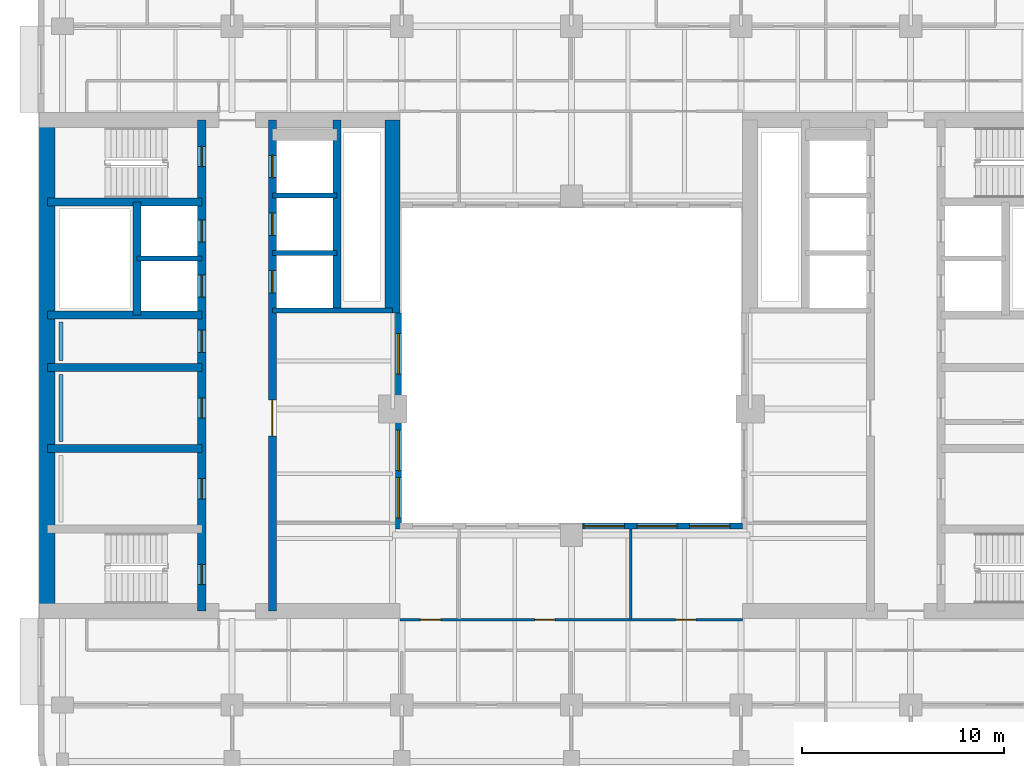
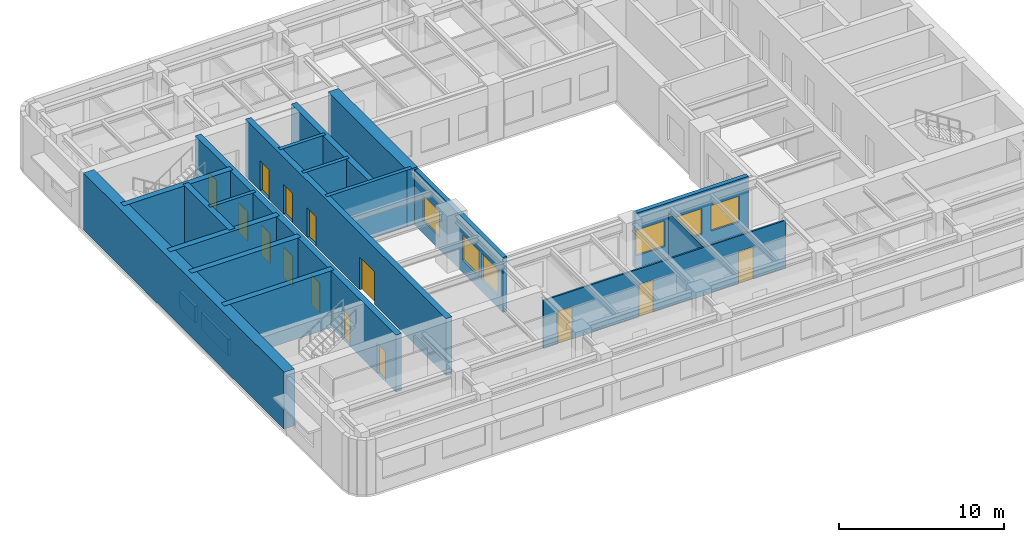
# One storey, part 4 of 11: 20 walls, 14 doors, 6 windows, 20 openings.
"""IFC4 building model written with IfcOpenShell, lengths in metres."""

from ifc_helpers import new_model, si_unit, direction, frame, frame_2d, origin, place, context, subcontext, project, spatial, rectangle, extrude, material, layer, layer_set, type_object, element, fill, save


model = new_model("IFC4")

# Units and contexts
model_context = context("Model", 3, precision=1e-05, world=origin(), true_north=direction((0.0, 1.0)))
body_context = subcontext(model_context, "Body", "Model", "MODEL_VIEW")
ifc_project = project(units=[si_unit("LENGTHUNIT", "METRE"), si_unit("AREAUNIT", "SQUARE_METRE"), si_unit("VOLUMEUNIT", "CUBIC_METRE"), si_unit("PLANEANGLEUNIT", "RADIAN"), si_unit("MASSUNIT", "GRAM", prefix="KILO")], contexts=[model_context])

# Site, building, storey
site_placement = place(None, origin())
site = spatial("IfcSite", under=ifc_project, at=site_placement, CompositionType="ELEMENT")
building_placement = place(site_placement, origin())
building = spatial("IfcBuilding", under=site, at=building_placement, Name="Claustro Exchange Tower", CompositionType="ELEMENT")
storey_placement = place(building_placement, frame((0.0, 0.0, 219.60009765625)))
storey = spatial("IfcBuildingStorey", under=building, at=storey_placement, Name="L50", CompositionType="ELEMENT", Elevation=219.60009765625)

# Wall
ifc_material_1 = material(Name="Laminated glass in aluminium frame", Category="aluminium")
ifc_layer_1 = layer(ifc_material_1, 0.1201171875)
ifc_layer_set_1 = layer_set([ifc_layer_1], Name="Laminated glass in aluminium frame")
wall_type_1 = type_object("IfcWallType", Name="P2 120 glazed partition", PredefinedType="PARTITIONING", material=ifc_layer_set_1)
wall_1_placement = place(storey_placement, frame((28.1298828125, 12.657958984375, 0.0), z_axis=(0.0, 0.0, 1.0), x_axis=(0.0, 1.0, 0.0)))
element("IfcWall", 1, at=wall_1_placement, inside=storey, type_object=wall_type_1, Name="Partition P2 L50", PredefinedType="PARTITIONING", context=body_context, shape_type="SweptSolid", body=[
    extrude(rectangle(XDim=4.444091796875, YDim=0.1201171875, at=frame_2d((2.22216796875, 0.0))), origin(), (0.0, 0.0, 1.0), 3.35986328125),
])

# Wall, openings, doors
wall_2_placement = place(storey_placement, frame((16.72509765625, 12.614990234375, 0.0), z_axis=(0.0, 0.0, 1.0), x_axis=(1.0, 0.0, 0.0)))
wall_2 = element("IfcWall", 2, at=wall_2_placement, inside=storey, type_object=wall_type_1, Name="Partition P2 L50", PredefinedType="PARTITIONING", context=body_context, shape_type="SweptSolid", body=[
    extrude(rectangle(XDim=16.949951171875, YDim=0.1201171875, at=frame_2d((8.47509765625, 0.0))), origin(), (0.0, 0.0, 1.0), 3.5498046875),
])
opening_1_placement = place(wall_2_placement, frame((1.0, 0.0, 0.0)))
opening_1 = element("IfcOpeningElement", 3, at=opening_1_placement, cuts=wall_2, Name="Opening D7", PredefinedType="OPENING", context=body_context, shape_type="SweptSolid", body=[
    extrude(rectangle(XDim=1.0, YDim=2.39990234375, at=frame_2d((0.5, 1.199951171875))), frame((0.0, 0.070068359375, 0.0), z_axis=(0.0, -1.0, 0.0), x_axis=(1.0, 0.0, 0.0)), (0.0, 0.0, 1.0), 0.14013671875),
])
opening_2_placement = place(wall_2_placement, frame((6.6650390625, 0.0, 0.0)))
opening_2 = element("IfcOpeningElement", 4, at=opening_2_placement, cuts=wall_2, Name="Opening D7", PredefinedType="OPENING", context=body_context, shape_type="SweptSolid", body=[
    extrude(rectangle(XDim=1.0, YDim=2.39990234375, at=frame_2d((0.5, 1.199951171875))), frame((0.0, 0.070068359375, 0.0), z_axis=(0.0, -1.0, 0.0), x_axis=(1.0, 0.0, 0.0)), (0.0, 0.0, 1.0), 0.14013671875),
])
opening_3_placement = place(wall_2_placement, frame((13.639892578125, 0.0, 0.0)))
opening_3 = element("IfcOpeningElement", 5, at=opening_3_placement, cuts=wall_2, Name="Opening D7", PredefinedType="OPENING", context=body_context, shape_type="SweptSolid", body=[
    extrude(rectangle(XDim=1.0, YDim=2.39990234375, at=frame_2d((0.5, 1.199951171875))), frame((0.0, 0.070068359375, 0.0), z_axis=(0.0, -1.0, 0.0), x_axis=(1.0, 0.0, 0.0)), (0.0, 0.0, 1.0), 0.14013671875),
])
ifc_material_2 = material(Name="Glass door in aluminium frame", Category="aluminium")
door_type_1 = type_object("IfcDoorType", Name="D7 1000 x 2400 glazed door", OperationType="SINGLE_SWING_LEFT", PredefinedType="DOOR", material=ifc_material_2)
door_1_placement = place(opening_1_placement, origin())
door_1 = element("IfcDoor", 6, at=door_1_placement, inside=storey, type_object=door_type_1, Name="Door D7 L50", OperationType="SINGLE_SWING_RIGHT", OverallHeight=2.39990234375, OverallWidth=1.0, PredefinedType="DOOR", context=body_context, shape_type="SweptSolid", body=[
    extrude(rectangle(XDim=1.0, YDim=2.39990234375, at=frame_2d((0.5, 1.199951171875))), frame((0.0, 0.02490234375, 0.0), z_axis=(0.0, -1.0, 0.0), x_axis=(1.0, 0.0, 0.0)), (0.0, 0.0, 1.0), 0.050048828125),
])
fill(opening_1, door_1)
door_2_placement = place(opening_2_placement, origin())
door_2 = element("IfcDoor", 7, at=door_2_placement, inside=storey, type_object=door_type_1, Name="Door D7 L50", OperationType="SINGLE_SWING_RIGHT", OverallHeight=2.39990234375, OverallWidth=1.0, PredefinedType="DOOR", context=body_context, shape_type="SweptSolid", body=[
    extrude(rectangle(XDim=1.0, YDim=2.39990234375, at=frame_2d((0.5, 1.199951171875))), frame((0.0, 0.02490234375, 0.0), z_axis=(0.0, -1.0, 0.0), x_axis=(1.0, 0.0, 0.0)), (0.0, 0.0, 1.0), 0.050048828125),
])
fill(opening_2, door_2)
door_3_placement = place(opening_3_placement, origin())
door_3 = element("IfcDoor", 8, at=door_3_placement, inside=storey, type_object=door_type_1, Name="Door D7 L50", OperationType="SINGLE_SWING_RIGHT", OverallHeight=2.39990234375, OverallWidth=1.0, PredefinedType="DOOR", context=body_context, shape_type="SweptSolid", body=[
    extrude(rectangle(XDim=1.0, YDim=2.39990234375, at=frame_2d((0.5, 1.199951171875))), frame((0.0, 0.02490234375, 0.0), z_axis=(0.0, -1.0, 0.0), x_axis=(1.0, 0.0, 0.0)), (0.0, 0.0, 1.0), 0.050048828125),
])
fill(opening_3, door_3)

# Wall, openings, windows
ifc_material_3 = material(Name="Concrete HA-40 (C40/50), precast, white cement, acid-etched", Category="concrete")
ifc_layer_2 = layer(ifc_material_3, 0.300048828125)
ifc_layer_set_2 = layer_set([ifc_layer_2], Name="Concrete HA-40 (C40/50), precast, white cement, acid-etched")
wall_type_2 = type_object("IfcWallType", Name="PC1 300 precast concrete pier panel", PredefinedType="SOLIDWALL", material=ifc_layer_set_2)
wall_3_placement = place(storey_placement, frame((16.64990234375, 17.10009765625, 0.0), z_axis=(0.0, 0.0, 1.0), x_axis=(0.0, 1.0, 0.0)))
wall_3 = element("IfcWall", 9, at=wall_3_placement, inside=storey, type_object=wall_type_2, Name="Precast pier panel PC1 L50", PredefinedType="SOLIDWALL", context=body_context, shape_type="SweptSolid", body=[
    extrude(rectangle(XDim=10.699951171875, YDim=0.300048828125, at=frame_2d((5.35009765625, 0.0))), origin(), (0.0, 0.0, 1.0), 4.0498046875),
])
opening_4_placement = place(wall_3_placement, frame((0.550048828125, 0.0, 0.89990234375)))
opening_4 = element("IfcOpeningElement", 10, at=opening_4_placement, cuts=wall_3, Name="Opening W4", PredefinedType="OPENING", context=body_context, shape_type="SweptSolid", body=[
    extrude(rectangle(XDim=2.0, YDim=1.89990234375, at=frame_2d((1.0, 0.949951171875))), frame((0.0, 0.159912109375, 0.0), z_axis=(0.0, -1.0, 0.0), x_axis=(1.0, 0.0, 0.0)), (0.0, 0.0, 1.0), 0.320068359375),
])
opening_5_placement = place(wall_3_placement, frame((2.89990234375, 0.0, 0.89990234375)))
opening_5 = element("IfcOpeningElement", 11, at=opening_5_placement, cuts=wall_3, Name="Opening W4", PredefinedType="OPENING", context=body_context, shape_type="SweptSolid", body=[
    extrude(rectangle(XDim=2.0, YDim=1.89990234375, at=frame_2d((1.0, 0.949951171875))), frame((0.0, 0.159912109375, 0.0), z_axis=(0.0, -1.0, 0.0), x_axis=(1.0, 0.0, 0.0)), (0.0, 0.0, 1.0), 0.320068359375),
])
opening_6_placement = place(wall_3_placement, frame((7.675048828125, 0.0, 0.89990234375)))
opening_6 = element("IfcOpeningElement", 12, at=opening_6_placement, cuts=wall_3, Name="Opening W4", PredefinedType="OPENING", context=body_context, shape_type="SweptSolid", body=[
    extrude(rectangle(XDim=2.0, YDim=1.89990234375, at=frame_2d((1.0, 0.949951171875))), frame((0.0, 0.159912109375, 0.0), z_axis=(0.0, -1.0, 0.0), x_axis=(1.0, 0.0, 0.0)), (0.0, 0.0, 1.0), 0.320068359375),
])
ifc_material_4 = material(Name="Aluminium frame, clear double glazing", Category="aluminium")
window_type = type_object("IfcWindowType", Name="W4 2000 x 1900 light well window", PartitioningType="SINGLE_PANEL", PredefinedType="WINDOW", material=ifc_material_4)
window_1_placement = place(opening_4_placement, origin())
window_1 = element("IfcWindow", 13, at=window_1_placement, inside=storey, type_object=window_type, Name="Window W4 L50", OverallHeight=1.89990234375, OverallWidth=2.0, PartitioningType="SINGLE_PANEL", PredefinedType="WINDOW", context=body_context, shape_type="SweptSolid", body=[
    extrude(rectangle(XDim=2.0, YDim=1.89990234375, at=frame_2d((1.0, 0.949951171875))), frame((0.0, 0.030029296875, 0.0), z_axis=(0.0, -1.0, 0.0), x_axis=(1.0, 0.0, 0.0)), (0.0, 0.0, 1.0), 0.06005859375),
])
fill(opening_4, window_1)
window_2_placement = place(opening_5_placement, origin())
window_2 = element("IfcWindow", 14, at=window_2_placement, inside=storey, type_object=window_type, Name="Window W4 L50", OverallHeight=1.89990234375, OverallWidth=2.0, PartitioningType="SINGLE_PANEL", PredefinedType="WINDOW", context=body_context, shape_type="SweptSolid", body=[
    extrude(rectangle(XDim=2.0, YDim=1.89990234375, at=frame_2d((1.0, 0.949951171875))), frame((0.0, 0.030029296875, 0.0), z_axis=(0.0, -1.0, 0.0), x_axis=(1.0, 0.0, 0.0)), (0.0, 0.0, 1.0), 0.06005859375),
])
fill(opening_5, window_2)
window_3_placement = place(opening_6_placement, origin())
window_3 = element("IfcWindow", 15, at=window_3_placement, inside=storey, type_object=window_type, Name="Window W4 L50", OverallHeight=1.89990234375, OverallWidth=2.0, PartitioningType="SINGLE_PANEL", PredefinedType="WINDOW", context=body_context, shape_type="SweptSolid", body=[
    extrude(rectangle(XDim=2.0, YDim=1.89990234375, at=frame_2d((1.0, 0.949951171875))), frame((0.0, 0.030029296875, 0.0), z_axis=(0.0, -1.0, 0.0), x_axis=(1.0, 0.0, 0.0)), (0.0, 0.0, 1.0), 0.06005859375),
])
fill(opening_6, window_3)

wall_4_placement = place(storey_placement, frame((25.75, 17.25, 0.0), z_axis=(0.0, 0.0, 1.0), x_axis=(1.0, 0.0, 0.0)))
wall_4 = element("IfcWall", 16, at=wall_4_placement, inside=storey, type_object=wall_type_2, Name="Precast pier panel PC1 L50", PredefinedType="SOLIDWALL", context=body_context, shape_type="SweptSolid", body=[
    extrude(rectangle(XDim=7.925048828125, YDim=0.300048828125, at=frame_2d((3.96240234375, 0.0))), origin(), (0.0, 0.0, 1.0), 4.0498046875),
])
opening_7_placement = place(wall_4_placement, frame((0.068603515625, 0.0, 0.89990234375)))
opening_7 = element("IfcOpeningElement", 17, at=opening_7_placement, cuts=wall_4, Name="Opening W4", PredefinedType="OPENING", context=body_context, shape_type="SweptSolid", body=[
    extrude(rectangle(XDim=2.0, YDim=1.89990234375, at=frame_2d((1.0, 0.949951171875))), frame((0.0, 0.159912109375, 0.0), z_axis=(0.0, -1.0, 0.0), x_axis=(1.0, 0.0, 0.0)), (0.0, 0.0, 1.0), 0.320068359375),
])
opening_8_placement = place(wall_4_placement, frame((2.6875, 0.0, 0.89990234375)))
opening_8 = element("IfcOpeningElement", 18, at=opening_8_placement, cuts=wall_4, Name="Opening W4", PredefinedType="OPENING", context=body_context, shape_type="SweptSolid", body=[
    extrude(rectangle(XDim=2.0, YDim=1.89990234375, at=frame_2d((1.0, 0.949951171875))), frame((0.0, 0.159912109375, 0.0), z_axis=(0.0, -1.0, 0.0), x_axis=(1.0, 0.0, 0.0)), (0.0, 0.0, 1.0), 0.320068359375),
])
opening_9_placement = place(wall_4_placement, frame((5.30615234375, 0.0, 0.89990234375)))
opening_9 = element("IfcOpeningElement", 19, at=opening_9_placement, cuts=wall_4, Name="Opening W4", PredefinedType="OPENING", context=body_context, shape_type="SweptSolid", body=[
    extrude(rectangle(XDim=2.0, YDim=1.89990234375, at=frame_2d((1.0, 0.949951171875))), frame((0.0, 0.159912109375, 0.0), z_axis=(0.0, -1.0, 0.0), x_axis=(1.0, 0.0, 0.0)), (0.0, 0.0, 1.0), 0.320068359375),
])
window_4_placement = place(opening_7_placement, origin())
window_4 = element("IfcWindow", 20, at=window_4_placement, inside=storey, type_object=window_type, Name="Window W4 L50", OverallHeight=1.89990234375, OverallWidth=2.0, PartitioningType="SINGLE_PANEL", PredefinedType="WINDOW", context=body_context, shape_type="SweptSolid", body=[
    extrude(rectangle(XDim=2.0, YDim=1.89990234375, at=frame_2d((1.0, 0.949951171875))), frame((0.0, 0.030029296875, 0.0), z_axis=(0.0, -1.0, 0.0), x_axis=(1.0, 0.0, 0.0)), (0.0, 0.0, 1.0), 0.06005859375),
])
fill(opening_7, window_4)
window_5_placement = place(opening_8_placement, origin())
window_5 = element("IfcWindow", 21, at=window_5_placement, inside=storey, type_object=window_type, Name="Window W4 L50", OverallHeight=1.89990234375, OverallWidth=2.0, PartitioningType="SINGLE_PANEL", PredefinedType="WINDOW", context=body_context, shape_type="SweptSolid", body=[
    extrude(rectangle(XDim=2.0, YDim=1.89990234375, at=frame_2d((1.0, 0.949951171875))), frame((0.0, 0.030029296875, 0.0), z_axis=(0.0, -1.0, 0.0), x_axis=(1.0, 0.0, 0.0)), (0.0, 0.0, 1.0), 0.06005859375),
])
fill(opening_8, window_5)
window_6_placement = place(opening_9_placement, origin())
window_6 = element("IfcWindow", 22, at=window_6_placement, inside=storey, type_object=window_type, Name="Window W4 L50", OverallHeight=1.89990234375, OverallWidth=2.0, PartitioningType="SINGLE_PANEL", PredefinedType="WINDOW", context=body_context, shape_type="SweptSolid", body=[
    extrude(rectangle(XDim=2.0, YDim=1.89990234375, at=frame_2d((1.0, 0.949951171875))), frame((0.0, 0.030029296875, 0.0), z_axis=(0.0, -1.0, 0.0), x_axis=(1.0, 0.0, 0.0)), (0.0, 0.0, 1.0), 0.06005859375),
])
fill(opening_9, window_6)

# Walls
ifc_material_5 = material(Name="Gypsum board on steel studs, tiled", Category="steel")
ifc_layer_3 = layer(ifc_material_5, 0.199951171875)
ifc_layer_set_3 = layer_set([ifc_layer_3], Name="Gypsum board on steel studs, tiled")
wall_type_3 = type_object("IfcWallType", Name="PW1 200 WC duct wall", PredefinedType="PLUMBINGWALL", material=ifc_layer_set_3)
wall_5_placement = place(storey_placement, frame((-0.074951171875, 21.449951171875, 0.0), z_axis=(0.0, 0.0, 1.0), x_axis=(0.0, 1.0, 0.0)))
element("IfcWall", 23, at=wall_5_placement, inside=storey, type_object=wall_type_3, Name="WC duct wall PW1 L50", PredefinedType="PLUMBINGWALL", context=body_context, shape_type="SweptSolid", body=[
    extrude(rectangle(XDim=3.300048828125, YDim=0.199951171875, at=frame_2d((1.64990234375, 0.0))), origin(), (0.0, 0.0, 1.0), 1.199951171875),
])
wall_6_placement = place(storey_placement, frame((-0.074951171875, 25.449951171875, 0.0), z_axis=(0.0, 0.0, 1.0), x_axis=(0.0, 1.0, 0.0)))
element("IfcWall", 24, at=wall_6_placement, inside=storey, type_object=wall_type_3, Name="WC duct wall PW1 L50", PredefinedType="PLUMBINGWALL", context=body_context, shape_type="SweptSolid", body=[
    extrude(rectangle(XDim=1.900146484375, YDim=0.199951171875, at=frame_2d((0.9501953125, 0.0))), origin(), (0.0, 0.0, 1.0), 1.199951171875),
])
ifc_material_6 = material(Name="Concrete HA-70 (C70/85)", Category="concrete")
ifc_layer_4 = layer(ifc_material_6, 0.75)
ifc_layer_set_4 = layer_set([ifc_layer_4], Name="Concrete HA-70 (C70/85)")
wall_type_4 = type_object("IfcWallType", Name="SW2X 750 exposed core shear wall, board-marked face", PredefinedType="SHEAR", material=ifc_layer_set_4)
wall_7_placement = place(storey_placement, frame((-0.75, 13.050048828125, 0.0), z_axis=(0.0, 0.0, 1.0), x_axis=(0.0, 1.0, 0.0)))
element("IfcWall", 25, at=wall_7_placement, inside=storey, type_object=wall_type_4, Name="Core wall SW2X W core W face L50", PredefinedType="SHEAR", context=body_context, shape_type="SweptSolid", body=[
    extrude(rectangle(XDim=24.300048828125, YDim=0.75, at=frame_2d((12.14990234375, 0.0))), origin(), (0.0, 0.0, 1.0), 4.199951171875),
])
wall_8_placement = place(storey_placement, frame((16.35009765625, 27.800048828125, 0.0), z_axis=(0.0, 0.0, 1.0), x_axis=(0.0, 1.0, 0.0)))
element("IfcWall", 26, at=wall_8_placement, inside=storey, type_object=wall_type_4, Name="Core wall SW2X W core E face L50", PredefinedType="SHEAR", context=body_context, shape_type="SweptSolid", body=[
    extrude(rectangle(XDim=9.550048828125, YDim=0.75, at=frame_2d((4.77490234375, 0.0))), origin(), (0.0, 0.0, 1.0), 4.199951171875),
])

# Wall, openings, doors
ifc_material_7 = material(Name="Concrete HA-50 (C50/60)", Category="concrete")
ifc_layer_5 = layer(ifc_material_7, 0.39990234375)
ifc_layer_set_5 = layer_set([ifc_layer_5], Name="Concrete HA-50 (C50/60)")
wall_type_5 = type_object("IfcWallType", Name="SW4 400 internal core wall", PredefinedType="SHEAR", material=ifc_layer_set_5)
wall_9_placement = place(storey_placement, frame((6.89990234375, 13.050048828125, 0.0), z_axis=(0.0, 0.0, 1.0), x_axis=(0.0, 1.0, 0.0)))
wall_9 = element("IfcWall", 27, at=wall_9_placement, inside=storey, type_object=wall_type_5, Name="Internal core wall SW4 W core L50", PredefinedType="SHEAR", context=body_context, shape_type="SweptSolid", body=[
    extrude(rectangle(XDim=24.300048828125, YDim=0.39990234375, at=frame_2d((12.14990234375, 0.0))), origin(), (0.0, 0.0, 1.0), 4.199951171875),
])
opening_10_placement = place(wall_9_placement, frame((1.300048828125, 0.0, 0.0)))
opening_10 = element("IfcOpeningElement", 28, at=opening_10_placement, cuts=wall_9, Name="Opening D4", PredefinedType="OPENING", context=body_context, shape_type="SweptSolid", body=[
    extrude(rectangle(XDim=1.0, YDim=2.199951171875, at=frame_2d((0.5, 1.10009765625))), frame((0.0, 0.2099609375, 0.0), z_axis=(0.0, -1.0, 0.0), x_axis=(1.0, 0.0, 0.0)), (0.0, 0.0, 1.0), 0.419921875),
])
opening_11_placement = place(wall_9_placement, frame((22.0, 0.0, 0.0)))
opening_11 = element("IfcOpeningElement", 29, at=opening_11_placement, cuts=wall_9, Name="Opening D4", PredefinedType="OPENING", context=body_context, shape_type="SweptSolid", body=[
    extrude(rectangle(XDim=1.0, YDim=2.199951171875, at=frame_2d((0.5, 1.10009765625))), frame((0.0, 0.2099609375, 0.0), z_axis=(0.0, -1.0, 0.0), x_axis=(1.0, 0.0, 0.0)), (0.0, 0.0, 1.0), 0.419921875),
])
opening_12_placement = place(wall_9_placement, frame((5.550048828125, 0.0, 0.0)))
opening_12 = element("IfcOpeningElement", 30, at=opening_12_placement, cuts=wall_9, Name="Opening D1", PredefinedType="OPENING", context=body_context, shape_type="SweptSolid", body=[
    extrude(rectangle(XDim=1.0, YDim=2.199951171875, at=frame_2d((0.5, 1.10009765625))), frame((0.0, 0.2099609375, 0.0), z_axis=(0.0, -1.0, 0.0), x_axis=(1.0, 0.0, 0.0)), (0.0, 0.0, 1.0), 0.419921875),
])
opening_13_placement = place(wall_9_placement, frame((9.550048828125, 0.0, 0.0)))
opening_13 = element("IfcOpeningElement", 31, at=opening_13_placement, cuts=wall_9, Name="Opening D1", PredefinedType="OPENING", context=body_context, shape_type="SweptSolid", body=[
    extrude(rectangle(XDim=1.0, YDim=2.199951171875, at=frame_2d((0.5, 1.10009765625))), frame((0.0, 0.2099609375, 0.0), z_axis=(0.0, -1.0, 0.0), x_axis=(1.0, 0.0, 0.0)), (0.0, 0.0, 1.0), 0.419921875),
])
opening_14_placement = place(wall_9_placement, frame((12.800048828125, 0.0, 0.0)))
opening_14 = element("IfcOpeningElement", 32, at=opening_14_placement, cuts=wall_9, Name="Opening D10", PredefinedType="OPENING", context=body_context, shape_type="SweptSolid", body=[
    extrude(rectangle(XDim=1.10009765625, YDim=2.199951171875, at=frame_2d((0.550048828125, 1.10009765625))), frame((0.0, 0.2099609375, 0.0), z_axis=(0.0, -1.0, 0.0), x_axis=(1.0, 0.0, 0.0)), (0.0, 0.0, 1.0), 0.419921875),
])
opening_15_placement = place(wall_9_placement, frame((15.53759765625, 0.0, 0.0)))
opening_15 = element("IfcOpeningElement", 33, at=opening_15_placement, cuts=wall_9, Name="Opening LD", PredefinedType="OPENING", context=body_context, shape_type="SweptSolid", body=[
    extrude(rectangle(XDim=1.10009765625, YDim=2.199951171875, at=frame_2d((0.550048828125, 1.10009765625))), frame((0.0, 0.2099609375, 0.0), z_axis=(0.0, -1.0, 0.0), x_axis=(1.0, 0.0, 0.0)), (0.0, 0.0, 1.0), 0.419921875),
])
opening_16_placement = place(wall_9_placement, frame((18.262451171875, 0.0, 0.0)))
opening_16 = element("IfcOpeningElement", 34, at=opening_16_placement, cuts=wall_9, Name="Opening LD", PredefinedType="OPENING", context=body_context, shape_type="SweptSolid", body=[
    extrude(rectangle(XDim=1.10009765625, YDim=2.199951171875, at=frame_2d((0.550048828125, 1.10009765625))), frame((0.0, 0.2099609375, 0.0), z_axis=(0.0, -1.0, 0.0), x_axis=(1.0, 0.0, 0.0)), (0.0, 0.0, 1.0), 0.419921875),
])
ifc_material_8 = material(Name="Timber door, oak veneer", Category="wood")
door_type_2 = type_object("IfcDoorType", Name="D1 1000 x 2200 single door", OperationType="SINGLE_SWING_LEFT", PredefinedType="DOOR", material=ifc_material_8)
door_4_placement = place(opening_12_placement, origin())
door_4 = element("IfcDoor", 35, at=door_4_placement, inside=storey, type_object=door_type_2, Name="Door D1 L50", OperationType="SINGLE_SWING_RIGHT", OverallHeight=2.199951171875, OverallWidth=1.0, PredefinedType="DOOR", context=body_context, shape_type="SweptSolid", body=[
    extrude(rectangle(XDim=1.0, YDim=2.199951171875, at=frame_2d((0.5, 1.10009765625))), frame((0.0, 0.02490234375, 0.0), z_axis=(0.0, -1.0, 0.0), x_axis=(1.0, 0.0, 0.0)), (0.0, 0.0, 1.0), 0.050048828125),
])
fill(opening_12, door_4)
door_5_placement = place(opening_13_placement, origin())
door_5 = element("IfcDoor", 36, at=door_5_placement, inside=storey, type_object=door_type_2, Name="Door D1 L50", OperationType="SINGLE_SWING_RIGHT", OverallHeight=2.199951171875, OverallWidth=1.0, PredefinedType="DOOR", context=body_context, shape_type="SweptSolid", body=[
    extrude(rectangle(XDim=1.0, YDim=2.199951171875, at=frame_2d((0.5, 1.10009765625))), frame((0.0, 0.02490234375, 0.0), z_axis=(0.0, -1.0, 0.0), x_axis=(1.0, 0.0, 0.0)), (0.0, 0.0, 1.0), 0.050048828125),
])
fill(opening_13, door_5)
ifc_material_9 = material(Name="Timber door, oak veneer", Category="wood")
door_type_3 = type_object("IfcDoorType", Name="D10 1100 x 2200 accessible WC door", OperationType="SINGLE_SWING_LEFT", PredefinedType="DOOR", material=ifc_material_9)
door_6_placement = place(opening_14_placement, frame((1.10009765625, 0.0, 0.0), z_axis=(0.0, 0.0, 1.0), x_axis=(-1.0, 0.0, 0.0)))
door_6 = element("IfcDoor", 37, at=door_6_placement, inside=storey, type_object=door_type_3, Name="Accessible WC door D10 L50", OperationType="SINGLE_SWING_LEFT", OverallHeight=2.199951171875, OverallWidth=1.10009765625, PredefinedType="DOOR", context=body_context, shape_type="SweptSolid", body=[
    extrude(rectangle(XDim=1.10009765625, YDim=2.199951171875, at=frame_2d((0.550048828125, 1.10009765625))), frame((0.0, 0.02490234375, 0.0), z_axis=(0.0, -1.0, 0.0), x_axis=(1.0, 0.0, 0.0)), (0.0, 0.0, 1.0), 0.050048828125),
])
fill(opening_14, door_6)
ifc_material_10 = material(Name="Steel fire door, painted", Category="steel")
door_type_4 = type_object("IfcDoorType", Name="D4 1000 x 2200 fire-rated stair door", OperationType="SINGLE_SWING_LEFT", PredefinedType="DOOR", material=ifc_material_10)
door_7_placement = place(opening_10_placement, origin())
door_7 = element("IfcDoor", 38, at=door_7_placement, inside=storey, type_object=door_type_4, Name="Stair door D4 L50", OperationType="SINGLE_SWING_LEFT", OverallHeight=2.199951171875, OverallWidth=1.0, PredefinedType="DOOR", context=body_context, shape_type="SweptSolid", body=[
    extrude(rectangle(XDim=1.0, YDim=2.199951171875, at=frame_2d((0.5, 1.10009765625))), frame((0.0, 0.02490234375, 0.0), z_axis=(0.0, -1.0, 0.0), x_axis=(1.0, 0.0, 0.0)), (0.0, 0.0, 1.0), 0.050048828125),
])
fill(opening_10, door_7)
door_8_placement = place(opening_11_placement, origin())
door_8 = element("IfcDoor", 39, at=door_8_placement, inside=storey, type_object=door_type_4, Name="Stair door D4 L50", OperationType="SINGLE_SWING_RIGHT", OverallHeight=2.199951171875, OverallWidth=1.0, PredefinedType="DOOR", context=body_context, shape_type="SweptSolid", body=[
    extrude(rectangle(XDim=1.0, YDim=2.199951171875, at=frame_2d((0.5, 1.10009765625))), frame((0.0, 0.02490234375, 0.0), z_axis=(0.0, -1.0, 0.0), x_axis=(1.0, 0.0, 0.0)), (0.0, 0.0, 1.0), 0.050048828125),
])
fill(opening_11, door_8)
ifc_material_11 = material(Name="Stainless steel sliding door", Category="steel")
door_type_5 = type_object("IfcDoorType", Name="LD 1100 x 2200 lift landing door", OperationType="DOUBLE_DOOR_SLIDING", PredefinedType="DOOR", material=ifc_material_11)
door_9_placement = place(opening_15_placement, origin())
door_9 = element("IfcDoor", 40, at=door_9_placement, inside=storey, type_object=door_type_5, Name="Lift landing door LEW1 LD L50", OperationType="DOUBLE_DOOR_SLIDING", OverallHeight=2.199951171875, OverallWidth=1.10009765625, PredefinedType="DOOR", context=body_context, shape_type="SweptSolid", body=[
    extrude(rectangle(XDim=1.10009765625, YDim=2.199951171875, at=frame_2d((0.550048828125, 1.10009765625))), frame((0.0, 0.02490234375, 0.0), z_axis=(0.0, -1.0, 0.0), x_axis=(1.0, 0.0, 0.0)), (0.0, 0.0, 1.0), 0.050048828125),
])
fill(opening_15, door_9)
door_10_placement = place(opening_16_placement, origin())
door_10 = element("IfcDoor", 41, at=door_10_placement, inside=storey, type_object=door_type_5, Name="Lift landing door LEW2 LD L50", OperationType="DOUBLE_DOOR_SLIDING", OverallHeight=2.199951171875, OverallWidth=1.10009765625, PredefinedType="DOOR", context=body_context, shape_type="SweptSolid", body=[
    extrude(rectangle(XDim=1.10009765625, YDim=2.199951171875, at=frame_2d((0.550048828125, 1.10009765625))), frame((0.0, 0.02490234375, 0.0), z_axis=(0.0, -1.0, 0.0), x_axis=(1.0, 0.0, 0.0)), (0.0, 0.0, 1.0), 0.050048828125),
])
fill(opening_16, door_10)

wall_10_placement = place(storey_placement, frame((10.39990234375, 13.050048828125, 0.0), z_axis=(0.0, 0.0, 1.0), x_axis=(0.0, 1.0, 0.0)))
wall_10 = element("IfcWall", 42, at=wall_10_placement, inside=storey, type_object=wall_type_5, Name="Internal core wall SW4 W core L50", PredefinedType="SHEAR", context=body_context, shape_type="SweptSolid", body=[
    extrude(rectangle(XDim=24.300048828125, YDim=0.39990234375, at=frame_2d((12.14990234375, 0.0))), origin(), (0.0, 0.0, 1.0), 4.199951171875),
])
opening_17_placement = place(wall_10_placement, frame((15.75, 0.0, 0.0)))
opening_17 = element("IfcOpeningElement", 43, at=opening_17_placement, cuts=wall_10, Name="Opening LD", PredefinedType="OPENING", context=body_context, shape_type="SweptSolid", body=[
    extrude(rectangle(XDim=1.10009765625, YDim=2.199951171875, at=frame_2d((0.550048828125, 1.10009765625))), frame((0.0, 0.2099609375, 0.0), z_axis=(0.0, -1.0, 0.0), x_axis=(1.0, 0.0, 0.0)), (0.0, 0.0, 1.0), 0.419921875),
])
opening_18_placement = place(wall_10_placement, frame((18.60009765625, 0.0, 0.0)))
opening_18 = element("IfcOpeningElement", 44, at=opening_18_placement, cuts=wall_10, Name="Opening LD", PredefinedType="OPENING", context=body_context, shape_type="SweptSolid", body=[
    extrude(rectangle(XDim=1.10009765625, YDim=2.199951171875, at=frame_2d((0.550048828125, 1.10009765625))), frame((0.0, 0.2099609375, 0.0), z_axis=(0.0, -1.0, 0.0), x_axis=(1.0, 0.0, 0.0)), (0.0, 0.0, 1.0), 0.419921875),
])
opening_19_placement = place(wall_10_placement, frame((21.449951171875, 0.0, 0.0)))
opening_19 = element("IfcOpeningElement", 45, at=opening_19_placement, cuts=wall_10, Name="Opening LD", PredefinedType="OPENING", context=body_context, shape_type="SweptSolid", body=[
    extrude(rectangle(XDim=1.10009765625, YDim=2.199951171875, at=frame_2d((0.550048828125, 1.10009765625))), frame((0.0, 0.2099609375, 0.0), z_axis=(0.0, -1.0, 0.0), x_axis=(1.0, 0.0, 0.0)), (0.0, 0.0, 1.0), 0.419921875),
])
opening_20_placement = place(wall_10_placement, frame((8.64990234375, 0.0, 0.0)))
opening_20 = element("IfcOpeningElement", 46, at=opening_20_placement, cuts=wall_10, Name="Opening D3", PredefinedType="OPENING", context=body_context, shape_type="SweptSolid", body=[
    extrude(rectangle(XDim=1.800048828125, YDim=2.39990234375, at=frame_2d((0.89990234375, 1.199951171875))), frame((0.0, 0.2099609375, 0.0), z_axis=(0.0, -1.0, 0.0), x_axis=(1.0, 0.0, 0.0)), (0.0, 0.0, 1.0), 0.419921875),
])
ifc_material_12 = material(Name="Steel fire door, painted", Category="steel")
door_type_6 = type_object("IfcDoorType", Name="D3 1800 x 2400 fire-rated lobby double door", OperationType="DOUBLE_DOOR_SINGLE_SWING", PredefinedType="DOOR", material=ifc_material_12)
door_11_placement = place(opening_20_placement, frame((1.800048828125, 0.0, 0.0), z_axis=(0.0, 0.0, 1.0), x_axis=(-1.0, 0.0, 0.0)))
door_11 = element("IfcDoor", 47, at=door_11_placement, inside=storey, type_object=door_type_6, Name="Core zone door D3 L50", OperationType="DOUBLE_DOOR_SINGLE_SWING", OverallHeight=2.39990234375, OverallWidth=1.800048828125, PredefinedType="DOOR", context=body_context, shape_type="SweptSolid", body=[
    extrude(rectangle(XDim=1.800048828125, YDim=2.39990234375, at=frame_2d((0.89990234375, 1.199951171875))), frame((0.0, 0.02490234375, 0.0), z_axis=(0.0, -1.0, 0.0), x_axis=(1.0, 0.0, 0.0)), (0.0, 0.0, 1.0), 0.050048828125),
])
fill(opening_20, door_11)
door_12_placement = place(opening_17_placement, origin())
door_12 = element("IfcDoor", 48, at=door_12_placement, inside=storey, type_object=door_type_5, Name="Lift landing door LHW1 LD L50", OperationType="DOUBLE_DOOR_SLIDING", OverallHeight=2.199951171875, OverallWidth=1.10009765625, PredefinedType="DOOR", context=body_context, shape_type="SweptSolid", body=[
    extrude(rectangle(XDim=1.10009765625, YDim=2.199951171875, at=frame_2d((0.550048828125, 1.10009765625))), frame((0.0, 0.02490234375, 0.0), z_axis=(0.0, -1.0, 0.0), x_axis=(1.0, 0.0, 0.0)), (0.0, 0.0, 1.0), 0.050048828125),
])
fill(opening_17, door_12)
door_13_placement = place(opening_18_placement, origin())
door_13 = element("IfcDoor", 49, at=door_13_placement, inside=storey, type_object=door_type_5, Name="Lift landing door LHW2 LD L50", OperationType="DOUBLE_DOOR_SLIDING", OverallHeight=2.199951171875, OverallWidth=1.10009765625, PredefinedType="DOOR", context=body_context, shape_type="SweptSolid", body=[
    extrude(rectangle(XDim=1.10009765625, YDim=2.199951171875, at=frame_2d((0.550048828125, 1.10009765625))), frame((0.0, 0.02490234375, 0.0), z_axis=(0.0, -1.0, 0.0), x_axis=(1.0, 0.0, 0.0)), (0.0, 0.0, 1.0), 0.050048828125),
])
fill(opening_18, door_13)
door_14_placement = place(opening_19_placement, origin())
door_14 = element("IfcDoor", 50, at=door_14_placement, inside=storey, type_object=door_type_5, Name="Lift landing door LSW1 LD L50", OperationType="DOUBLE_DOOR_SLIDING", OverallHeight=2.199951171875, OverallWidth=1.10009765625, PredefinedType="DOOR", context=body_context, shape_type="SweptSolid", body=[
    extrude(rectangle(XDim=1.10009765625, YDim=2.199951171875, at=frame_2d((0.550048828125, 1.10009765625))), frame((0.0, 0.02490234375, 0.0), z_axis=(0.0, -1.0, 0.0), x_axis=(1.0, 0.0, 0.0)), (0.0, 0.0, 1.0), 0.050048828125),
])
fill(opening_19, door_14)

# Walls
wall_11_placement = place(storey_placement, frame((13.60009765625, 27.925048828125, 0.0), z_axis=(0.0, 0.0, 1.0), x_axis=(0.0, 1.0, 0.0)))
element("IfcWall", 51, at=wall_11_placement, inside=storey, type_object=wall_type_5, Name="Internal core wall SW4 W core L50", PredefinedType="SHEAR", context=body_context, shape_type="SweptSolid", body=[
    extrude(rectangle(XDim=9.425048828125, YDim=0.39990234375, at=frame_2d((4.71240234375, 0.0))), origin(), (0.0, 0.0, 1.0), 4.199951171875),
])
for number, where, z_axis, x_axis, name in (
    (52, (-0.75, 21.10009765625, 0.0), (0.0, 0.0, 1.0), (1.0, 0.0, 0.0), "Internal core wall SW4 W core L50"),
    (53, (-0.75, 25.10009765625, 0.0), (0.0, 0.0, 1.0), (1.0, 0.0, 0.0), "Internal core wall SW4 W core L50"),
    (54, (-0.75, 27.699951171875, 0.0), (0.0, 0.0, 1.0), (1.0, 0.0, 0.0), "Internal core wall SW4 W core L50"),
    (55, (-0.75, 33.300048828125, 0.0), (0.0, 0.0, 1.0), (1.0, 0.0, 0.0), "Internal core wall SW4 W core L50"),
):
    element("IfcWall", number, at=place(storey_placement, frame(where, z_axis=z_axis, x_axis=x_axis)), inside=storey, type_object=wall_type_5, Name=name, PredefinedType="SHEAR", context=body_context, shape_type="SweptSolid", body=[
        extrude(rectangle(XDim=7.64990234375, YDim=0.39990234375, at=frame_2d((3.824951171875, 0.0))), origin(), (0.0, 0.0, 1.0), 4.199951171875),
    ])
wall_12_placement = place(storey_placement, frame((3.699951171875, 27.699951171875, 0.0), z_axis=(0.0, 0.0, 1.0), x_axis=(0.0, 1.0, 0.0)))
element("IfcWall", 56, at=wall_12_placement, inside=storey, type_object=wall_type_5, Name="Internal core wall SW4 W core L50", PredefinedType="SHEAR", context=body_context, shape_type="SweptSolid", body=[
    extrude(rectangle(XDim=5.60009765625, YDim=0.39990234375, at=frame_2d((2.800048828125, 0.0))), origin(), (0.0, 0.0, 1.0), 4.199951171875),
])
ifc_material_13 = material(Name="Concrete HA-50 (C50/60)", Category="concrete")
ifc_layer_6 = layer(ifc_material_13, 0.25)
ifc_layer_set_6 = layer_set([ifc_layer_6], Name="Concrete HA-50 (C50/60)")
wall_type_6 = type_object("IfcWallType", Name="SW5 250 lift shaft divider wall", PredefinedType="SHEAR", material=ifc_layer_set_6)
wall_13_placement = place(storey_placement, frame((3.699951171875, 30.5, 0.0), z_axis=(0.0, 0.0, 1.0), x_axis=(1.0, 0.0, 0.0)))
element("IfcWall", 57, at=wall_13_placement, inside=storey, type_object=wall_type_6, Name="Lift shaft wall W core L50", PredefinedType="SHEAR", context=body_context, shape_type="SweptSolid", body=[
    extrude(rectangle(XDim=3.199951171875, YDim=0.25, at=frame_2d((1.60009765625, 0.0))), origin(), (0.0, 0.0, 1.0), 4.199951171875),
])
wall_14_placement = place(storey_placement, frame((10.39990234375, 27.925048828125, 0.0), z_axis=(0.0, 0.0, 1.0), x_axis=(1.0, 0.0, 0.0)))
element("IfcWall", 58, at=wall_14_placement, inside=storey, type_object=wall_type_6, Name="Core step wall W core L50", PredefinedType="SHEAR", context=body_context, shape_type="SweptSolid", body=[
    extrude(rectangle(XDim=5.9501953125, YDim=0.25, at=frame_2d((2.97509765625, 0.0))), origin(), (0.0, 0.0, 1.0), 4.199951171875),
])
for number, where, z_axis, x_axis, name in (
    (59, (10.39990234375, 30.77490234375, 0.0), (0.0, 0.0, 1.0), (1.0, 0.0, 0.0), "Lift shaft wall W core L50"),
    (60, (10.39990234375, 33.625, 0.0), (0.0, 0.0, 1.0), (1.0, 0.0, 0.0), "Lift shaft wall W core L50"),
):
    element("IfcWall", number, at=place(storey_placement, frame(where, z_axis=z_axis, x_axis=x_axis)), inside=storey, type_object=wall_type_6, Name=name, PredefinedType="SHEAR", context=body_context, shape_type="SweptSolid", body=[
        extrude(rectangle(XDim=3.2001953125, YDim=0.25, at=frame_2d((1.60009765625, 0.0))), origin(), (0.0, 0.0, 1.0), 4.199951171875),
    ])

save(model, "model.ifc")
